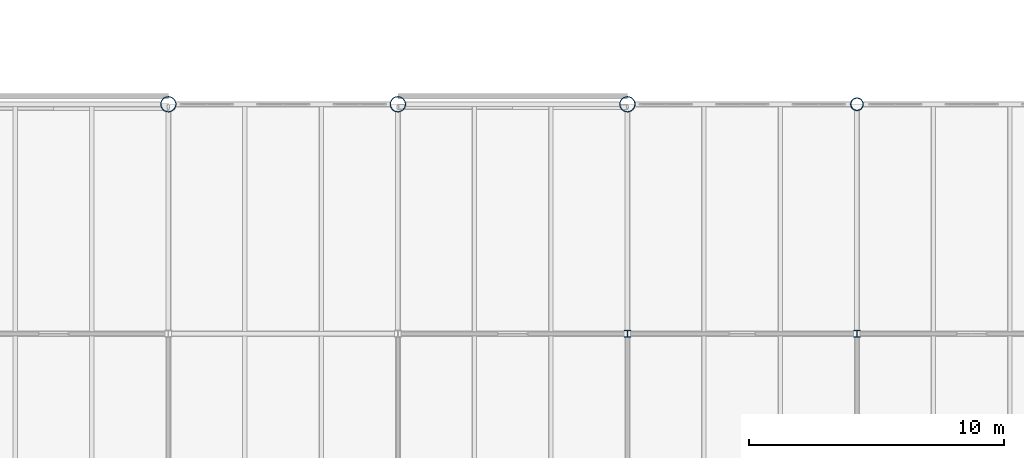
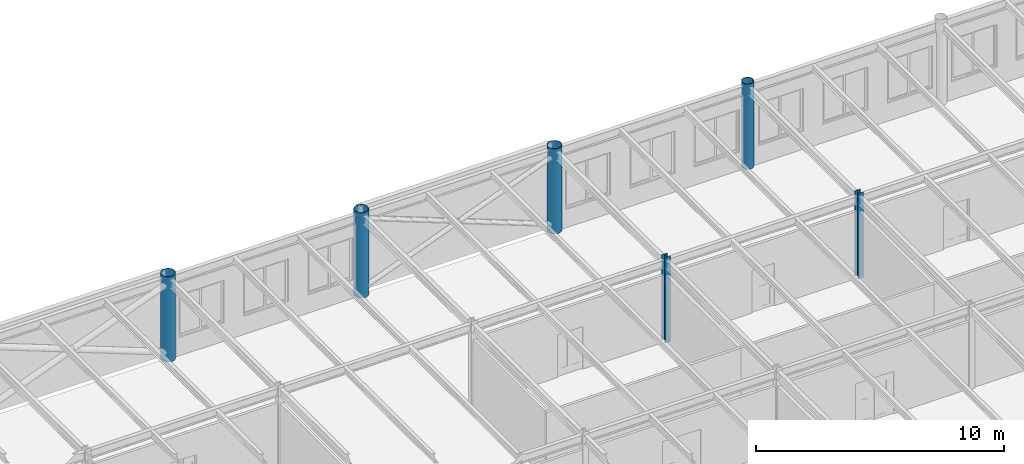
# One storey, part 4 of 123: 6 columns.
"""IFC4 building model written with IfcOpenShell, lengths in metres."""

from ifc_helpers import new_model, si_unit, direction, frame, origin, origin_2d, place, context, subcontext, project, spatial, hollow_circle, i_section, extrude, material, material_profile, profile_set, type_object, element, save


model = new_model("IFC4")

# Units and contexts
model_context = context("Model", 3, precision=1e-05, world=origin(), true_north=direction((0.0, 1.0)))
body_context = subcontext(model_context, "Body", "Model", "MODEL_VIEW")
ifc_project = project(units=[si_unit("LENGTHUNIT", "METRE"), si_unit("AREAUNIT", "SQUARE_METRE"), si_unit("VOLUMEUNIT", "CUBIC_METRE"), si_unit("PLANEANGLEUNIT", "RADIAN"), si_unit("MASSUNIT", "GRAM", prefix="KILO")], contexts=[model_context])

# Site, building, storey
site_placement = place(None, origin())
site = spatial("IfcSite", under=ifc_project, at=site_placement, CompositionType="ELEMENT")
building_placement = place(site_placement, origin())
building = spatial("IfcBuilding", under=site, at=building_placement, Name="Baradari Gate Terminus", CompositionType="ELEMENT")
storey_placement = place(building_placement, frame((0.0, 0.0, 7.5)))
storey = spatial("IfcBuildingStorey", under=building, at=storey_placement, Name="L01", CompositionType="ELEMENT", Elevation=7.5)

# Columns
ifc_material_1 = material(Name="Steel S355", Category="steel")
ifc_material_profile_1 = material_profile(ifc_material_1, hollow_circle(Radius=0.304931640625, WallThickness=0.02001953125, at=origin_2d()), Name="CHS 610x20")
ifc_profile_set_1 = profile_set([ifc_material_profile_1], Name="Steel S355")
column_type_1 = type_object("IfcColumnType", Name="Braced shed column C09 CHS 610x20", PredefinedType="COLUMN", material=ifc_profile_set_1)
for number, where, z_axis, x_axis, name in (
    (1, (108.0, 36.0, 0.0), (0.0, 0.0, 1.0), (1.0, 0.0, 0.0), "C09 column 13-E L01"),
    (2, (117.0, 36.0, 0.0), (0.0, 0.0, 1.0), (1.0, 0.0, 0.0), "C09 column 14-E L01"),
    (3, (126.0, 36.0, 0.0), (0.0, 0.0, 1.0), (1.0, 0.0, 0.0), "C09 column 15-E L01"),
):
    element("IfcColumn", number, at=place(storey_placement, frame(where, z_axis=z_axis, x_axis=x_axis)), inside=storey, type_object=column_type_1, Name=name, PredefinedType="COLUMN", context=body_context, shape_type="SweptSolid", body=[
        extrude(hollow_circle(Radius=0.304931640625, WallThickness=0.02001953125, at=origin_2d()), origin(), (0.0, 0.0, 1.0), 4.199951171875),
    ])
ifc_material_2 = material(Name="Steel S355", Category="steel")
ifc_material_profile_2 = material_profile(ifc_material_2, hollow_circle(Radius=0.25390625, WallThickness=0.02490234375, at=origin_2d()), Name="CHS 508x25")
ifc_profile_set_2 = profile_set([ifc_material_profile_2], Name="Steel S355")
column_type_2 = type_object("IfcColumnType", Name="Shed column C11 CHS 508x25", PredefinedType="COLUMN", material=ifc_profile_set_2)
column_placement = place(storey_placement, frame((135.0, 36.0, 0.0), z_axis=(0.0, 0.0, 1.0), x_axis=(1.0, 0.0, 0.0)))
element("IfcColumn", 4, at=column_placement, inside=storey, type_object=column_type_2, Name="C11 column 16-E L01", PredefinedType="COLUMN", context=body_context, shape_type="SweptSolid", body=[
    extrude(hollow_circle(Radius=0.25390625, WallThickness=0.02490234375, at=origin_2d()), origin(), (0.0, 0.0, 1.0), 4.199951171875),
])
ifc_material_3 = material(Name="Steel S355", Category="steel")
ifc_material_profile_3 = material_profile(ifc_material_3, i_section(OverallWidth=0.25634765625, OverallDepth=0.26025390625, WebThickness=0.01025390625, FlangeThickness=0.017333984375, FilletRadius=0.0126953125, at=origin_2d()), Name="UC 254x254x89")
ifc_profile_set_3 = profile_set([ifc_material_profile_3], Name="Steel S355")
column_type_3 = type_object("IfcColumnType", Name="South wing column C04 UC 254x254x89", PredefinedType="COLUMN", material=ifc_profile_set_3)
for number, where, z_axis, x_axis, name in (
    (5, (126.0, 27.0, 0.0), (0.0, 0.0, 1.0), (1.0, 0.0, 0.0), "C04 column 15-D L01"),
    (6, (135.0, 27.0, 0.0), (0.0, 0.0, 1.0), (1.0, 0.0, 0.0), "C04 column 16-D L01"),
):
    element("IfcColumn", number, at=place(storey_placement, frame(where, z_axis=z_axis, x_axis=x_axis)), inside=storey, type_object=column_type_3, Name=name, PredefinedType="COLUMN", context=body_context, shape_type="SweptSolid", body=[
        extrude(i_section(OverallWidth=0.25634765625, OverallDepth=0.26025390625, WebThickness=0.01025390625, FlangeThickness=0.017333984375, FilletRadius=0.0126953125, at=origin_2d()), origin(), (0.0, 0.0, 1.0), 4.199951171875),
    ])

save(model, "model.ifc")
